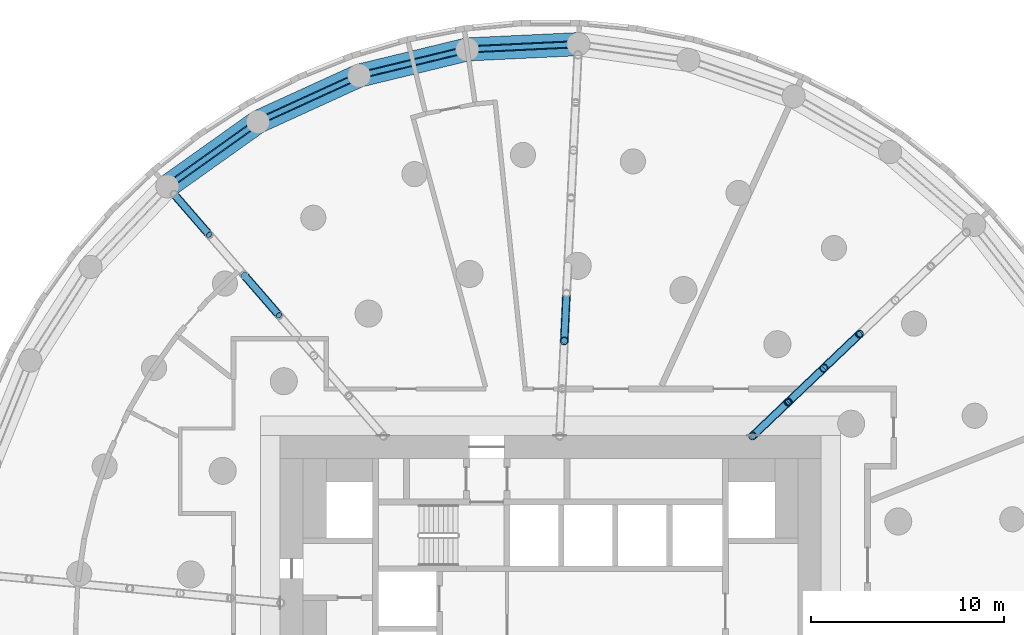
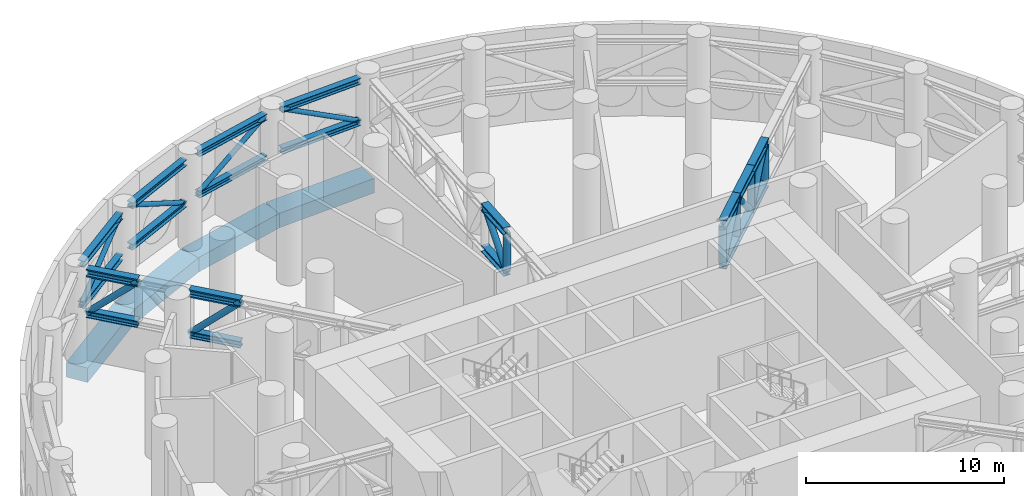
# One storey, part 6 of 17: 35 members, 4 beams.
"""IFC4 building model written with IfcOpenShell, lengths in metres."""

import ifcopenshell
import ifcopenshell.guid

model = None  # the IFC model being written
_history = None  # IfcOwnerHistory: only IFC2X3 demands one
_inside = {}  # id of a spatial element -> (the spatial element, [elements in it])
_under = {}  # id of a project, library or spatial element -> (it, [spatial elements below it])
_declared = {}  # id of a project -> (the project, [libraries it declares])
_typed = {}  # id of a type object -> (the type object, [elements of that type])
_made_of = {}  # id of a material, layer set ... -> (it, [elements and type objects made of it])


def new_model(schema):
    """Start an empty IFC model of exactly this schema.

    Asked for "IFC4X3", IfcOpenShell would pick the latest addendum, in which some entities
    have other attributes; the version numbers below select the first issue.
    IFC2X3 requires an IfcOwnerHistory on every rooted entity: one is made here for all.
    """
    global model, _history
    if schema == "IFC4X3":
        model = ifcopenshell.file(schema_version=(4, 3, 0, 0))
    else:
        model = ifcopenshell.file(schema=schema)
    _inside.clear()
    _under.clear()
    _declared.clear()
    _typed.clear()
    _made_of.clear()
    _history = None
    if model.schema == "IFC2X3":
        org = make("IfcOrganization", Name="unknown")
        user = make(
            "IfcPersonAndOrganization",
            ThePerson=make("IfcPerson", FamilyName="unknown"),
            TheOrganization=org,
        )
        app = make(
            "IfcApplication",
            ApplicationDeveloper=org,
            Version="unknown",
            ApplicationFullName="unknown",
            ApplicationIdentifier="unknown",
        )
        _history = make(
            "IfcOwnerHistory",
            OwningUser=user,
            OwningApplication=app,
            ChangeAction="ADDED",
            CreationDate=0,
        )
    return model


def make(cls, **values):
    """One entity of the class cls with the attributes given. An attribute that is None is left unset."""
    return model.create_entity(
        cls, **{name: value for name, value in values.items() if value is not None}
    )


def rooted(cls, **values):
    """An entity with a GlobalId (a new one), such as an element, a storey or a relation."""
    return make(cls, GlobalId=ifcopenshell.guid.new(), OwnerHistory=_history, **values)


def si_unit(unit_type, name, prefix=None):
    """IfcSIUnit, for example si_unit("LENGTHUNIT", "METRE", prefix="MILLI")."""
    return make("IfcSIUnit", UnitType=unit_type, Prefix=prefix, Name=name)


def assignment(units):
    """IfcUnitAssignment: the units of a project."""
    return None if units is None else make("IfcUnitAssignment", Units=units)


def point(xyz):
    """IfcCartesianPoint."""
    return None if xyz is None else make("IfcCartesianPoint", Coordinates=xyz)


def direction(xyz):
    """IfcDirection."""
    return None if xyz is None else make("IfcDirection", DirectionRatios=xyz)


def frame(location, z_axis=None, x_axis=None):
    """IfcAxis2Placement3D, a coordinate frame: its origin and axes. An axis left out is left unset."""
    return make(
        "IfcAxis2Placement3D",
        Location=point(location),
        Axis=direction(z_axis),
        RefDirection=direction(x_axis),
    )


def frame_2d(location, x_axis=None):
    """IfcAxis2Placement2D, a coordinate frame in the plane: its origin and x axis."""
    return make(
        "IfcAxis2Placement2D", Location=point(location), RefDirection=direction(x_axis)
    )


def origin():
    """The frame at (0, 0, 0) with its axes left unset."""
    return frame((0.0, 0.0, 0.0))


def origin_2d():
    """The frame at (0, 0) in the plane with its x axis left unset."""
    return frame_2d((0.0, 0.0))


def place(relative_to, where):
    """IfcLocalPlacement: puts the frame where relative to a parent placement (None: the world)."""
    return make(
        "IfcLocalPlacement", PlacementRelTo=relative_to, RelativePlacement=where
    )


def context(
    kind, dimensions, precision=None, world=None, true_north=None, identifier=None
):
    """IfcGeometricRepresentationContext, for example the 3D "Model" context."""
    return make(
        "IfcGeometricRepresentationContext",
        ContextIdentifier=identifier,
        ContextType=kind,
        CoordinateSpaceDimension=dimensions,
        Precision=precision,
        WorldCoordinateSystem=world,
        TrueNorth=true_north,
    )


def subcontext(parent, identifier, kind, view, scale=None):
    """IfcGeometricRepresentationSubContext, for example "Body" below "Model"."""
    return make(
        "IfcGeometricRepresentationSubContext",
        ContextIdentifier=identifier,
        ContextType=kind,
        ParentContext=parent,
        TargetScale=scale,
        TargetView=view,
    )


def project(units=None, contexts=None):
    """IfcProject with its units and contexts."""
    return rooted(
        "IfcProject",
        Name="project",
        RepresentationContexts=contexts,
        UnitsInContext=assignment(units),
    )


def spatial(cls, under=None, at=None, **own):
    """A site, building, storey or space (cls), placed at a placement, below another one or the project."""
    s = rooted(cls, ObjectPlacement=at, **own)
    if under is not None:
        _under.setdefault(under.id(), (under, []))[1].append(s)
    return s


def profile(cls, at=None, kind="AREA", **sizes):
    """A parametric profile (cls). Its sizes go by their IFC names, for example OverallWidth=200.0."""
    return make(cls, ProfileType=kind, Position=at, **sizes)


def rectangle(**sizes):
    """IfcRectangleProfileDef."""
    return profile("IfcRectangleProfileDef", **sizes)


def hollow_circle(**sizes):
    """IfcCircleHollowProfileDef."""
    return profile("IfcCircleHollowProfileDef", **sizes)


def i_section(**sizes):
    """IfcIShapeProfileDef."""
    return profile("IfcIShapeProfileDef", **sizes)


def extrude(swept, where, along, depth):
    """IfcExtrudedAreaSolid: the profile swept, set in the frame where, extruded along a direction by depth."""
    return make(
        "IfcExtrudedAreaSolid",
        SweptArea=swept,
        Position=where,
        ExtrudedDirection=direction(along),
        Depth=depth,
    )


def shape(context_of_items, identifier, shape_type, items):
    """IfcShapeRepresentation: the items that make up one representation, for example the "Body"."""
    return make(
        "IfcShapeRepresentation",
        ContextOfItems=context_of_items,
        RepresentationIdentifier=identifier,
        RepresentationType=shape_type,
        Items=items,
    )


def material(Name=None, Category=None):
    """IfcMaterial."""
    return make("IfcMaterial", Name=Name, Category=Category)


def material_profile(
    of_material, cross_section, Name=None, Category=None, Priority=None
):
    """IfcMaterialProfile: a cross section and its material."""
    return make(
        "IfcMaterialProfile",
        Name=Name,
        Material=of_material,
        Profile=cross_section,
        Priority=Priority,
        Category=Category,
    )


def profile_set(profiles, Name=None, composite=None):
    """IfcMaterialProfileSet."""
    return make(
        "IfcMaterialProfileSet",
        Name=Name,
        MaterialProfiles=profiles,
        CompositeProfile=composite,
    )


def made_of(thing, what):
    """Note that an element or type object is made of a material, layer set ...; save() writes the relation."""
    if what is not None:
        _made_of.setdefault(what.id(), (what, []))[1].append(thing)
    return thing


def type_object(cls, material=None, **own):
    """A type object (cls), such as IfcWallType, which elements share."""
    return made_of(rooted(cls, **own), material)


def element(
    cls,
    number,
    at=None,
    inside=None,
    cuts=None,
    type_object=None,
    material=None,
    context=None,
    identifier="Body",
    shape_type=None,
    held_by="IfcProductDefinitionShape",
    body=None,
    shapes=None,
    **own,
):
    """One element of the class cls, such as IfcWall. Its Tag is "e" and its number.

    at: its placement. inside: the storey or other place that contains it. cuts: it is an
    opening in that element (IfcRelVoidsElement). A single representation is given by context,
    identifier, shape_type and body (its items); several are given by shapes. held_by: the class
    of the entity that holds the representations. save() writes the other relations.
    """
    e = rooted(cls, Tag="e%d" % number, ObjectPlacement=at, **own)
    if body is not None:
        shapes = [shape(context, identifier, shape_type, body)]
    if shapes is not None:
        e.Representation = make(held_by, Representations=shapes)
    if inside is not None:
        _inside.setdefault(inside.id(), (inside, []))[1].append(e)
    if cuts is not None:
        rooted(
            "IfcRelVoidsElement", RelatingBuildingElement=cuts, RelatedOpeningElement=e
        )
    if type_object is not None:
        _typed.setdefault(type_object.id(), (type_object, []))[1].append(e)
    return made_of(e, material)


def aggregate(whole, parts):
    """IfcRelAggregates: a whole, such as a stair, and the parts it consists of."""
    return rooted("IfcRelAggregates", RelatingObject=whole, RelatedObjects=parts)


def save(model, path):
    """Write the relations noted so far, then the file.

    IfcRelAggregates (storeys below a building ...), IfcRelContainedInSpatialStructure (elements
    in a storey), IfcRelDefinesByType, IfcRelAssociatesMaterial and IfcRelDeclares: one each for
    every whole, place, type object, material and project.
    """
    for whole, parts in _under.values():
        aggregate(whole, parts)
    for where, things in _inside.values():
        rooted(
            "IfcRelContainedInSpatialStructure",
            RelatedElements=things,
            RelatingStructure=where,
        )
    for kind, things in _typed.values():
        rooted("IfcRelDefinesByType", RelatedObjects=things, RelatingType=kind)
    for what, things in _made_of.values():
        rooted("IfcRelAssociatesMaterial", RelatedObjects=things, RelatingMaterial=what)
    for by, libraries in _declared.values():
        rooted("IfcRelDeclares", RelatingContext=by, RelatedDefinitions=libraries)
    model.write(path)


model = new_model("IFC4")

# Units and contexts
model_context = context("Model", 3, precision=1e-05, world=origin(), true_north=direction((0.0, 1.0)))
body_context = subcontext(model_context, "Body", "Model", "MODEL_VIEW")
ifc_project = project(units=[si_unit("LENGTHUNIT", "METRE"), si_unit("AREAUNIT", "SQUARE_METRE"), si_unit("VOLUMEUNIT", "CUBIC_METRE"), si_unit("PLANEANGLEUNIT", "RADIAN"), si_unit("MASSUNIT", "GRAM", prefix="KILO")], contexts=[model_context])

# Site, building, storey
site_placement = place(None, origin())
site = spatial("IfcSite", under=ifc_project, at=site_placement, CompositionType="ELEMENT")
building_placement = place(site_placement, origin())
building = spatial("IfcBuilding", under=site, at=building_placement, Name="Tracery Tower", CompositionType="ELEMENT")
storey_placement = place(building_placement, frame((0.0, 0.0, 120.0)))
storey = spatial("IfcBuildingStorey", under=building, at=storey_placement, Name="L30 Plant", CompositionType="ELEMENT", Elevation=120.0)

# Members
ifc_material_1 = material(Name="Steel S355", Category="steel")
ifc_material_profile_1 = material_profile(ifc_material_1, i_section(OverallWidth=0.37060546875, OverallDepth=0.362060546875, WebThickness=0.01220703125, FlangeThickness=0.020751953125, FilletRadius=0.01513671875, at=origin_2d()), Name="UKC 356x368x153")
ifc_profile_set_1 = profile_set([ifc_material_profile_1], Name="Steel S355")
member_type_1 = type_object("IfcMemberType", Name="Belt truss bottom chord UKC 356x368x153", PredefinedType="CHORD", material=ifc_profile_set_1)
for number, where, z_axis, x_axis, name in (
    (1, (0.941162109375, 30.216552734375, 2.9033203125), (-0.998866975953, -0.047589540356, 0.0), (0.047589540356, -0.998866975953, 0.0), "Belt truss bottom chord 9"),
    (2, (-4.79443359375, 29.848388671875, 2.9033203125), (-0.97181590024, -0.235741078389, 0.0), (0.235741078389, -0.97181590024, 0.0), "Belt truss bottom chord 10"),
    (3, (-10.356689453125, 28.40185546875, 2.9033203125), (-0.909631920905, -0.415415176024, 0.0), (0.415415176024, -0.909631920905, 0.0), "Belt truss bottom chord 11"),
):
    element("IfcMember", number, at=place(storey_placement, frame(where, z_axis=z_axis, x_axis=x_axis)), inside=storey, type_object=member_type_1, Name=name, PredefinedType="CHORD", context=body_context, shape_type="SweptSolid", body=[
        extrude(i_section(OverallWidth=0.37060546875, OverallDepth=0.362060546875, WebThickness=0.01220703125, FlangeThickness=0.020751953125, FilletRadius=0.01513671875, at=origin_2d()), origin(), (0.0, 0.0, 1.0), 4.755615234375),
    ])
member_1_placement = place(storey_placement, frame((-15.544677734375, 25.9287109375, 2.9033203125), z_axis=(-0.814547802927, -0.580096437454, 0.0), x_axis=(0.580096437454, -0.814547802927, 0.0)))
element("IfcMember", 4, at=member_1_placement, inside=storey, type_object=member_type_1, Name="Belt truss bottom chord 12", PredefinedType="CHORD", context=body_context, shape_type="SweptSolid", body=[
    extrude(i_section(OverallWidth=0.37060546875, OverallDepth=0.362060546875, WebThickness=0.01220703125, FlangeThickness=0.020751953125, FilletRadius=0.01513671875, at=origin_2d()), origin(), (0.0, 0.0, 1.0), 4.755859375),
])
ifc_material_2 = material(Name="Steel S355", Category="steel")
ifc_material_profile_2 = material_profile(ifc_material_2, hollow_circle(Radius=0.136474609375, WallThickness=0.012451171875, at=origin_2d()), Name="CHS 273x12.5")
ifc_profile_set_2 = profile_set([ifc_material_profile_2], Name="Steel S355")
member_type_2 = type_object("IfcMemberType", Name="Belt truss diagonal CHS 273x12.5", PredefinedType="BRACE", material=ifc_profile_set_2)
for number, where, z_axis, x_axis, name in (
    (5, (0.941162109375, 30.216552734375, 2.9033203125), (-0.879581490581, -0.041906359756, 0.47389899603), (0.047589540356, -0.998866975953, 0.0), "Belt truss diagonal 9"),
    (6, (-4.79443359375, 29.848388671875, 5.462646484375), (-0.855760163092, -0.207588519224, -0.473900358674), (0.235741078389, -0.97181590024, 0.0), "Belt truss diagonal 10"),
    (7, (-10.356689453125, 28.40185546875, 2.9033203125), (-0.801005148435, -0.365806967726, 0.473894518373), (0.415415176024, -0.909631920905, 0.0), "Belt truss diagonal 11"),
    (8, (-15.544677734375, 25.9287109375, 5.462646484375), (-0.71727757611, -0.510823508542, -0.473890516819), (0.580096437454, -0.814547802927, 0.0), "Belt truss diagonal 12"),
):
    element("IfcMember", number, at=place(storey_placement, frame(where, z_axis=z_axis, x_axis=x_axis)), inside=storey, type_object=member_type_2, Name=name, PredefinedType="BRACE", context=body_context, shape_type="SweptSolid", body=[
        extrude(hollow_circle(Radius=0.136474609375, WallThickness=0.012451171875, at=origin_2d()), origin(), (0.0, 0.0, 1.0), 5.400634765625),
    ])
ifc_material_3 = material(Name="Steel S355", Category="steel")
ifc_material_profile_3 = material_profile(ifc_material_3, i_section(OverallWidth=0.374755859375, OverallDepth=0.37451171875, WebThickness=0.0166015625, FlangeThickness=0.027099609375, FilletRadius=0.01513671875, at=origin_2d()), Name="UKC 356x368x202")
ifc_profile_set_3 = profile_set([ifc_material_profile_3], Name="Steel S355")
member_type_3 = type_object("IfcMemberType", Name="Belt truss top chord UKC 356x368x202", PredefinedType="CHORD", material=ifc_profile_set_3)
for number, where, z_axis, x_axis, name in (
    (9, (0.941162109375, 30.216552734375, 5.462646484375), (-0.998866975953, -0.047589540356, 0.0), (0.047589540356, -0.998866975953, 0.0), "Belt truss top chord 9"),
    (10, (-4.79443359375, 29.848388671875, 5.462646484375), (-0.97181590024, -0.235741078389, 0.0), (0.235741078389, -0.97181590024, 0.0), "Belt truss top chord 10"),
    (11, (-10.356689453125, 28.40185546875, 5.462646484375), (-0.909631920905, -0.415415176024, 0.0), (0.415415176024, -0.909631920905, 0.0), "Belt truss top chord 11"),
):
    element("IfcMember", number, at=place(storey_placement, frame(where, z_axis=z_axis, x_axis=x_axis)), inside=storey, type_object=member_type_3, Name=name, PredefinedType="CHORD", context=body_context, shape_type="SweptSolid", body=[
        extrude(i_section(OverallWidth=0.374755859375, OverallDepth=0.37451171875, WebThickness=0.0166015625, FlangeThickness=0.027099609375, FilletRadius=0.01513671875, at=origin_2d()), origin(), (0.0, 0.0, 1.0), 4.755615234375),
    ])
member_2_placement = place(storey_placement, frame((-15.544677734375, 25.9287109375, 5.462646484375), z_axis=(-0.814547802927, -0.580096437454, 0.0), x_axis=(0.580096437454, -0.814547802927, 0.0)))
element("IfcMember", 12, at=member_2_placement, inside=storey, type_object=member_type_3, Name="Belt truss top chord 12", PredefinedType="CHORD", context=body_context, shape_type="SweptSolid", body=[
    extrude(i_section(OverallWidth=0.374755859375, OverallDepth=0.37451171875, WebThickness=0.0166015625, FlangeThickness=0.027099609375, FilletRadius=0.01513671875, at=origin_2d()), origin(), (0.0, 0.0, 1.0), 4.755859375),
])
ifc_material_4 = material(Name="Steel S355", Category="steel")
ifc_material_profile_4 = material_profile(ifc_material_4, i_section(OverallWidth=0.403076171875, OverallDepth=0.406494140625, WebThickness=0.026611328125, FlangeThickness=0.04296875, FilletRadius=0.01513671875, at=origin_2d()), Name="UKC 356x406x340")
ifc_profile_set_4 = profile_set([ifc_material_profile_4], Name="Steel S355")
member_type_4 = type_object("IfcMemberType", Name="Outrigger bottom chord UKC 356x406x340", PredefinedType="CHORD", material=ifc_profile_set_4)
member_3_placement = place(storey_placement, frame((10.451416015625, 9.965576171875, 2.9033203125), z_axis=(0.723773164471, 0.690037974601, 0.0), x_axis=(-0.690037974601, 0.723773164471, 0.0)))
element("IfcMember", 13, at=member_3_placement, inside=storey, type_object=member_type_4, Name="Outrigger 2 bottom chord 1", PredefinedType="CHORD", context=body_context, shape_type="SweptSolid", body=[
    extrude(i_section(OverallWidth=0.403076171875, OverallDepth=0.406494140625, WebThickness=0.026611328125, FlangeThickness=0.04296875, FilletRadius=0.01513671875, at=origin_2d()), origin(), (0.0, 0.0, 1.0), 2.54736328125),
])
for number, where, z_axis, x_axis, name in (
    (14, (12.295166015625, 11.723388671875, 2.9033203125), (0.723727525939, 0.690085841181, 0.0), (-0.690085841181, 0.723727525939, 0.0), "Outrigger 2 bottom chord 2"),
    (15, (14.138671875, 13.481201171875, 2.9033203125), (0.723727525939, 0.690085841181, 0.0), (-0.690085841181, 0.723727525939, 0.0), "Outrigger 2 bottom chord 3"),
):
    element("IfcMember", number, at=place(storey_placement, frame(where, z_axis=z_axis, x_axis=x_axis)), inside=storey, type_object=member_type_4, Name=name, PredefinedType="CHORD", context=body_context, shape_type="SweptSolid", body=[
        extrude(i_section(OverallWidth=0.403076171875, OverallDepth=0.406494140625, WebThickness=0.026611328125, FlangeThickness=0.04296875, FilletRadius=0.01513671875, at=origin_2d()), origin(), (0.0, 0.0, 1.0), 2.547119140625),
    ])
member_4_placement = place(storey_placement, frame((0.708984375, 14.88525390625, 2.9033203125), z_axis=(0.047635581735, 0.998864781316, 0.0), x_axis=(-0.998864781316, 0.047635581735, 0.0)))
element("IfcMember", 16, at=member_4_placement, inside=storey, type_object=member_type_4, Name="Outrigger 3 bottom chord 3", PredefinedType="CHORD", context=body_context, shape_type="SweptSolid", body=[
    extrude(i_section(OverallWidth=0.403076171875, OverallDepth=0.406494140625, WebThickness=0.026611328125, FlangeThickness=0.04296875, FilletRadius=0.01513671875, at=origin_2d()), origin(), (0.0, 0.0, 1.0), 2.47021484375),
])
member_5_placement = place(storey_placement, frame((-14.048828125, 16.21337890625, 2.9033203125), z_axis=(-0.654879971825, 0.755732904208, 0.0), x_axis=(-0.755732904208, -0.654879971825, 0.0)))
element("IfcMember", 17, at=member_5_placement, inside=storey, type_object=member_type_4, Name="Outrigger 4 bottom chord 4", PredefinedType="CHORD", context=body_context, shape_type="SweptSolid", body=[
    extrude(i_section(OverallWidth=0.403076171875, OverallDepth=0.406494140625, WebThickness=0.026611328125, FlangeThickness=0.04296875, FilletRadius=0.01513671875, at=origin_2d()), origin(), (0.0, 0.0, 1.0), 2.75732421875),
])
member_6_placement = place(storey_placement, frame((-17.659912109375, 20.380615234375, 2.9033203125), z_axis=(-0.654829396434, 0.755776727325, 0.0), x_axis=(-0.755776727325, -0.654829396434, 0.0)))
element("IfcMember", 18, at=member_6_placement, inside=storey, type_object=member_type_4, Name="Outrigger 4 bottom chord 6", PredefinedType="CHORD", context=body_context, shape_type="SweptSolid", body=[
    extrude(i_section(OverallWidth=0.403076171875, OverallDepth=0.406494140625, WebThickness=0.026611328125, FlangeThickness=0.04296875, FilletRadius=0.01513671875, at=origin_2d()), origin(), (0.0, 0.0, 1.0), 2.757080078125),
])
ifc_material_5 = material(Name="Steel S355", Category="steel")
ifc_material_profile_5 = material_profile(ifc_material_5, hollow_circle(Radius=0.177734375, WallThickness=0.01611328125, at=origin_2d()), Name="CHS 355.6x16")
ifc_profile_set_5 = profile_set([ifc_material_profile_5], Name="Steel S355")
member_type_5 = type_object("IfcMemberType", Name="Outrigger diagonal CHS 355.6x16", PredefinedType="BRACE", material=ifc_profile_set_5)
member_7_placement = place(storey_placement, frame((10.451416015625, 9.965576171875, 2.9033203125), z_axis=(0.510589730052, 0.486791056193, 0.708754255843), x_axis=(-0.690037974601, 0.723773164471, 0.0)))
element("IfcMember", 19, at=member_7_placement, inside=storey, type_object=member_type_5, Name="Outrigger 2 diagonal 1", PredefinedType="BRACE", context=body_context, shape_type="SweptSolid", body=[
    extrude(hollow_circle(Radius=0.177734375, WallThickness=0.01611328125, at=origin_2d()), origin(), (0.0, 0.0, 1.0), 3.611083984375),
])
for number, where, z_axis, x_axis, name in (
    (20, (12.295166015625, 11.723388671875, 5.462646484375), (0.510539743614, 0.486807860418, -0.708778722329), (-0.690085841181, 0.723727525939, 0.0), "Outrigger 2 diagonal 2"),
    (21, (14.138671875, 13.481201171875, 2.9033203125), (0.510539743614, 0.486807860418, 0.708778722329), (-0.690085841181, 0.723727525939, 0.0), "Outrigger 2 diagonal 3"),
):
    element("IfcMember", number, at=place(storey_placement, frame(where, z_axis=z_axis, x_axis=x_axis)), inside=storey, type_object=member_type_5, Name=name, PredefinedType="BRACE", context=body_context, shape_type="SweptSolid", body=[
        extrude(hollow_circle(Radius=0.177734375, WallThickness=0.01611328125, at=origin_2d()), origin(), (0.0, 0.0, 1.0), 3.61083984375),
    ])
member_8_placement = place(storey_placement, frame((0.708984375, 14.88525390625, 2.9033203125), z_axis=(0.033082285413, 0.69369846197, 0.71950539001), x_axis=(-0.998864781316, 0.047635581735, 0.0)))
element("IfcMember", 22, at=member_8_placement, inside=storey, type_object=member_type_5, Name="Outrigger 3 diagonal 3", PredefinedType="BRACE", context=body_context, shape_type="SweptSolid", body=[
    extrude(hollow_circle(Radius=0.177734375, WallThickness=0.01611328125, at=origin_2d()), origin(), (0.0, 0.0, 1.0), 3.55712890625),
])
for number, where, z_axis, x_axis, name in (
    (23, (-14.048828125, 16.21337890625, 5.462646484375), (-0.47997615117, 0.553893516798, -0.680312330005), (-0.755732904208, -0.654879971825, 0.0), "Outrigger 4 diagonal 4"),
    (24, (-17.659912109375, 20.380615234375, 5.462646484375), (-0.479926202834, 0.5539107696, -0.680333520529), (-0.755776727325, -0.654829396434, 0.0), "Outrigger 4 diagonal 6"),
):
    element("IfcMember", number, at=place(storey_placement, frame(where, z_axis=z_axis, x_axis=x_axis)), inside=storey, type_object=member_type_5, Name=name, PredefinedType="BRACE", context=body_context, shape_type="SweptSolid", body=[
        extrude(hollow_circle(Radius=0.177734375, WallThickness=0.01611328125, at=origin_2d()), origin(), (0.0, 0.0, 1.0), 3.761962890625),
    ])
ifc_material_6 = material(Name="Steel S355", Category="steel")
ifc_material_profile_6 = material_profile(ifc_material_6, hollow_circle(Radius=0.203125, WallThickness=0.02001953125, at=origin_2d()), Name="CHS 406.4x20")
ifc_profile_set_6 = profile_set([ifc_material_profile_6], Name="Steel S355")
member_type_6 = type_object("IfcMemberType", Name="Outrigger post CHS 406.4x20", PredefinedType="POST", material=ifc_profile_set_6)
for number, where, z_axis, x_axis, name in (
    (25, (10.451416015625, 9.965576171875, 3.1064453125), (0.0, 0.0, 1.0), (1.0, 0.0, 0.0), "Outrigger 2 post 1"),
    (26, (12.295166015625, 11.723388671875, 3.1064453125), (0.0, 0.0, 1.0), (1.0, 0.0, 0.0), "Outrigger 2 post 2"),
    (27, (14.138671875, 13.481201171875, 3.1064453125), (0.0, 0.0, 1.0), (1.0, 0.0, 0.0), "Outrigger 2 post 3"),
    (28, (15.982177734375, 15.239013671875, 3.1064453125), (0.0, 0.0, 1.0), (1.0, 0.0, 0.0), "Outrigger 2 post 4"),
    (29, (0.708984375, 14.88525390625, 3.1064453125), (0.0, 0.0, 1.0), (1.0, 0.0, 0.0), "Outrigger 3 post 3"),
):
    element("IfcMember", number, at=place(storey_placement, frame(where, z_axis=z_axis, x_axis=x_axis)), inside=storey, type_object=member_type_6, Name=name, PredefinedType="POST", context=body_context, shape_type="SweptSolid", body=[
        extrude(hollow_circle(Radius=0.203125, WallThickness=0.02001953125, at=origin_2d()), origin(), (0.0, 0.0, 1.0), 2.118896484375),
    ])
ifc_material_7 = material(Name="Steel S355", Category="steel")
ifc_material_profile_7 = material_profile(ifc_material_7, i_section(OverallWidth=0.424072265625, OverallDepth=0.474609375, WebThickness=0.047607421875, FlangeThickness=0.076904296875, FilletRadius=0.01513671875, at=origin_2d()), Name="UKC 356x406x634")
ifc_profile_set_7 = profile_set([ifc_material_profile_7], Name="Steel S355")
member_type_7 = type_object("IfcMemberType", Name="Outrigger top chord UKC 356x406x634", PredefinedType="CHORD", material=ifc_profile_set_7)
member_9_placement = place(storey_placement, frame((10.451416015625, 9.965576171875, 5.462646484375), z_axis=(0.723773164471, 0.690037974601, 0.0), x_axis=(-0.690037974601, 0.723773164471, 0.0)))
element("IfcMember", 30, at=member_9_placement, inside=storey, type_object=member_type_7, Name="Outrigger 2 top chord 1", PredefinedType="CHORD", context=body_context, shape_type="SweptSolid", body=[
    extrude(i_section(OverallWidth=0.424072265625, OverallDepth=0.474609375, WebThickness=0.047607421875, FlangeThickness=0.076904296875, FilletRadius=0.01513671875, at=origin_2d()), origin(), (0.0, 0.0, 1.0), 2.54736328125),
])
for number, where, z_axis, x_axis, name in (
    (31, (12.295166015625, 11.723388671875, 5.462646484375), (0.723727525939, 0.690085841181, 0.0), (-0.690085841181, 0.723727525939, 0.0), "Outrigger 2 top chord 2"),
    (32, (14.138671875, 13.481201171875, 5.462646484375), (0.723727525939, 0.690085841181, 0.0), (-0.690085841181, 0.723727525939, 0.0), "Outrigger 2 top chord 3"),
):
    element("IfcMember", number, at=place(storey_placement, frame(where, z_axis=z_axis, x_axis=x_axis)), inside=storey, type_object=member_type_7, Name=name, PredefinedType="CHORD", context=body_context, shape_type="SweptSolid", body=[
        extrude(i_section(OverallWidth=0.424072265625, OverallDepth=0.474609375, WebThickness=0.047607421875, FlangeThickness=0.076904296875, FilletRadius=0.01513671875, at=origin_2d()), origin(), (0.0, 0.0, 1.0), 2.547119140625),
    ])
member_10_placement = place(storey_placement, frame((0.708984375, 14.88525390625, 5.462646484375), z_axis=(0.047635581735, 0.998864781316, 0.0), x_axis=(-0.998864781316, 0.047635581735, 0.0)))
element("IfcMember", 33, at=member_10_placement, inside=storey, type_object=member_type_7, Name="Outrigger 3 top chord 3", PredefinedType="CHORD", context=body_context, shape_type="SweptSolid", body=[
    extrude(i_section(OverallWidth=0.424072265625, OverallDepth=0.474609375, WebThickness=0.047607421875, FlangeThickness=0.076904296875, FilletRadius=0.01513671875, at=origin_2d()), origin(), (0.0, 0.0, 1.0), 2.47021484375),
])
member_11_placement = place(storey_placement, frame((-14.048828125, 16.21337890625, 5.462646484375), z_axis=(-0.654879971825, 0.755732904208, 0.0), x_axis=(-0.755732904208, -0.654879971825, 0.0)))
element("IfcMember", 34, at=member_11_placement, inside=storey, type_object=member_type_7, Name="Outrigger 4 top chord 4", PredefinedType="CHORD", context=body_context, shape_type="SweptSolid", body=[
    extrude(i_section(OverallWidth=0.424072265625, OverallDepth=0.474609375, WebThickness=0.047607421875, FlangeThickness=0.076904296875, FilletRadius=0.01513671875, at=origin_2d()), origin(), (0.0, 0.0, 1.0), 2.75732421875),
])
member_12_placement = place(storey_placement, frame((-17.659912109375, 20.380615234375, 5.462646484375), z_axis=(-0.654829396434, 0.755776727325, 0.0), x_axis=(-0.755776727325, -0.654829396434, 0.0)))
element("IfcMember", 35, at=member_12_placement, inside=storey, type_object=member_type_7, Name="Outrigger 4 top chord 6", PredefinedType="CHORD", context=body_context, shape_type="SweptSolid", body=[
    extrude(i_section(OverallWidth=0.424072265625, OverallDepth=0.474609375, WebThickness=0.047607421875, FlangeThickness=0.076904296875, FilletRadius=0.01513671875, at=origin_2d()), origin(), (0.0, 0.0, 1.0), 2.757080078125),
])

# Beams
ifc_material_8 = material(Name="Concrete C60/75", Category="concrete")
ifc_material_profile_8 = material_profile(ifc_material_8, rectangle(XDim=1.199951171875, YDim=0.89990234375, at=origin_2d()), Name="RC 1200x900")
ifc_profile_set_8 = profile_set([ifc_material_profile_8], Name="Concrete C60/75")
beam_type = type_object("IfcBeamType", Name="Plant level band beam 1200x900", PredefinedType="BEAM", material=ifc_profile_set_8)
beam_1_placement = place(storey_placement, frame((1.4404296875, 30.240234375, -0.949951171875), z_axis=(-0.998866793759, -0.047593364303, 0.0), x_axis=(0.047593364303, -0.998866793759, 0.0)))
element("IfcBeam", 36, at=beam_1_placement, inside=storey, type_object=beam_type, Name="Perimeter beam 0.08 under L30 Plant", PredefinedType="BEAM", context=body_context, shape_type="SweptSolid", body=[
    extrude(rectangle(XDim=1.199951171875, YDim=0.89990234375, at=origin_2d()), origin(), (0.0, 0.0, 1.0), 5.755615234375),
])
beam_2_placement = place(storey_placement, frame((-4.30859375, 29.96630859375, -0.949951171875), z_axis=(-0.971820371509, -0.235722645328, 0.0), x_axis=(0.235722645328, -0.971820371509, 0.0)))
element("IfcBeam", 37, at=beam_2_placement, inside=storey, type_object=beam_type, Name="Perimeter beam 0.09 under L30 Plant", PredefinedType="BEAM", context=body_context, shape_type="SweptSolid", body=[
    extrude(rectangle(XDim=1.199951171875, YDim=0.89990234375, at=origin_2d()), origin(), (0.0, 0.0, 1.0), 5.75537109375),
])
for number, where, z_axis, x_axis, name in (
    (38, (-9.90185546875, 28.609619140625, -0.949951171875), (-0.909618316865, -0.415444963411, 0.0), (0.415444963411, -0.909618316865, 0.0), "Perimeter beam 0.10 under L30 Plant"),
    (39, (-15.13720703125, 26.218505859375, -0.949951171875), (-0.8145780864, -0.580053912285, 0.0), (0.580053912285, -0.8145780864, 0.0), "Perimeter beam 0.11 under L30 Plant"),
):
    element("IfcBeam", number, at=place(storey_placement, frame(where, z_axis=z_axis, x_axis=x_axis)), inside=storey, type_object=beam_type, Name=name, PredefinedType="BEAM", context=body_context, shape_type="SweptSolid", body=[
        extrude(rectangle(XDim=1.199951171875, YDim=0.89990234375, at=origin_2d()), origin(), (0.0, 0.0, 1.0), 5.755615234375),
    ])

save(model, "model.ifc")
